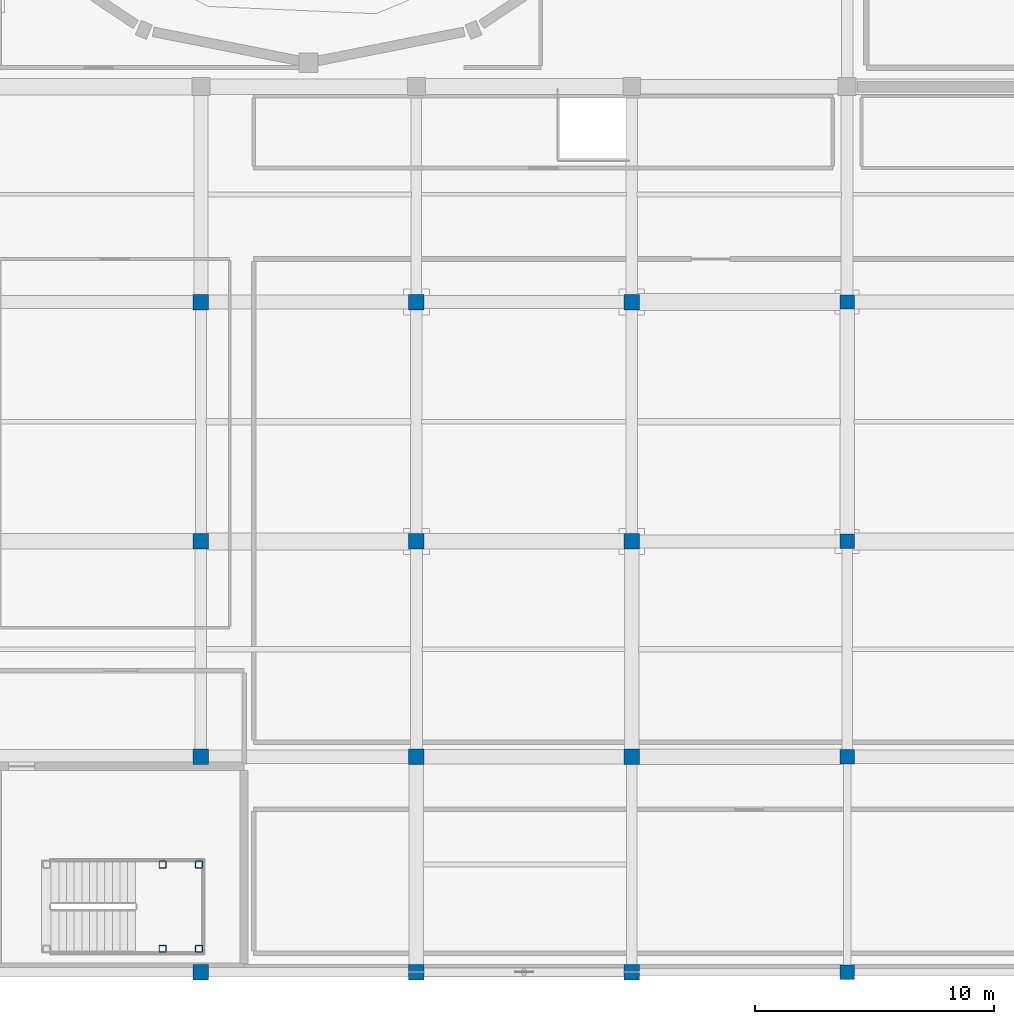
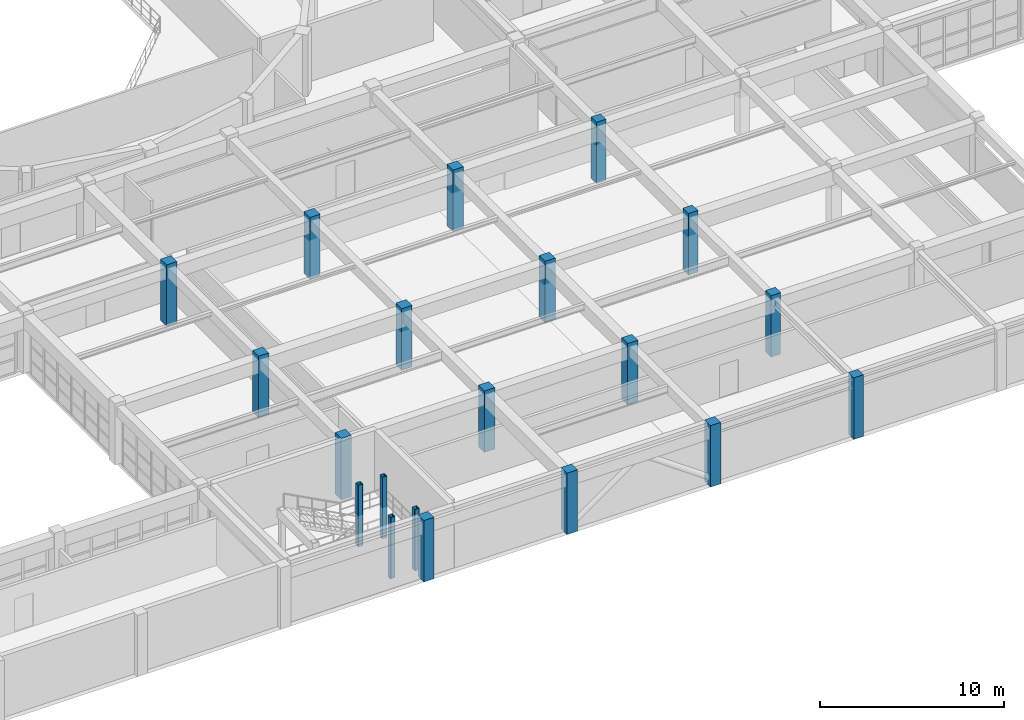
# One storey, part 4 of 130: 20 columns.
"""IFC4 building model written with IfcOpenShell, lengths in metres."""

import ifcopenshell
import ifcopenshell.guid

model = None  # the IFC model being written
_history = None  # IfcOwnerHistory: only IFC2X3 demands one
_inside = {}  # id of a spatial element -> (the spatial element, [elements in it])
_under = {}  # id of a project, library or spatial element -> (it, [spatial elements below it])
_declared = {}  # id of a project -> (the project, [libraries it declares])
_typed = {}  # id of a type object -> (the type object, [elements of that type])
_made_of = {}  # id of a material, layer set ... -> (it, [elements and type objects made of it])


def new_model(schema):
    """Start an empty IFC model of exactly this schema.

    Asked for "IFC4X3", IfcOpenShell would pick the latest addendum, in which some entities
    have other attributes; the version numbers below select the first issue.
    IFC2X3 requires an IfcOwnerHistory on every rooted entity: one is made here for all.
    """
    global model, _history
    if schema == "IFC4X3":
        model = ifcopenshell.file(schema_version=(4, 3, 0, 0))
    else:
        model = ifcopenshell.file(schema=schema)
    _inside.clear()
    _under.clear()
    _declared.clear()
    _typed.clear()
    _made_of.clear()
    _history = None
    if model.schema == "IFC2X3":
        org = make("IfcOrganization", Name="unknown")
        user = make(
            "IfcPersonAndOrganization",
            ThePerson=make("IfcPerson", FamilyName="unknown"),
            TheOrganization=org,
        )
        app = make(
            "IfcApplication",
            ApplicationDeveloper=org,
            Version="unknown",
            ApplicationFullName="unknown",
            ApplicationIdentifier="unknown",
        )
        _history = make(
            "IfcOwnerHistory",
            OwningUser=user,
            OwningApplication=app,
            ChangeAction="ADDED",
            CreationDate=0,
        )
    return model


def make(cls, **values):
    """One entity of the class cls with the attributes given. An attribute that is None is left unset."""
    return model.create_entity(
        cls, **{name: value for name, value in values.items() if value is not None}
    )


def rooted(cls, **values):
    """An entity with a GlobalId (a new one), such as an element, a storey or a relation."""
    return make(cls, GlobalId=ifcopenshell.guid.new(), OwnerHistory=_history, **values)


def si_unit(unit_type, name, prefix=None):
    """IfcSIUnit, for example si_unit("LENGTHUNIT", "METRE", prefix="MILLI")."""
    return make("IfcSIUnit", UnitType=unit_type, Prefix=prefix, Name=name)


def assignment(units):
    """IfcUnitAssignment: the units of a project."""
    return None if units is None else make("IfcUnitAssignment", Units=units)


def point(xyz):
    """IfcCartesianPoint."""
    return None if xyz is None else make("IfcCartesianPoint", Coordinates=xyz)


def direction(xyz):
    """IfcDirection."""
    return None if xyz is None else make("IfcDirection", DirectionRatios=xyz)


def frame(location, z_axis=None, x_axis=None):
    """IfcAxis2Placement3D, a coordinate frame: its origin and axes. An axis left out is left unset."""
    return make(
        "IfcAxis2Placement3D",
        Location=point(location),
        Axis=direction(z_axis),
        RefDirection=direction(x_axis),
    )


def frame_2d(location, x_axis=None):
    """IfcAxis2Placement2D, a coordinate frame in the plane: its origin and x axis."""
    return make(
        "IfcAxis2Placement2D", Location=point(location), RefDirection=direction(x_axis)
    )


def origin():
    """The frame at (0, 0, 0) with its axes left unset."""
    return frame((0.0, 0.0, 0.0))


def origin_2d():
    """The frame at (0, 0) in the plane with its x axis left unset."""
    return frame_2d((0.0, 0.0))


def place(relative_to, where):
    """IfcLocalPlacement: puts the frame where relative to a parent placement (None: the world)."""
    return make(
        "IfcLocalPlacement", PlacementRelTo=relative_to, RelativePlacement=where
    )


def context(
    kind, dimensions, precision=None, world=None, true_north=None, identifier=None
):
    """IfcGeometricRepresentationContext, for example the 3D "Model" context."""
    return make(
        "IfcGeometricRepresentationContext",
        ContextIdentifier=identifier,
        ContextType=kind,
        CoordinateSpaceDimension=dimensions,
        Precision=precision,
        WorldCoordinateSystem=world,
        TrueNorth=true_north,
    )


def subcontext(parent, identifier, kind, view, scale=None):
    """IfcGeometricRepresentationSubContext, for example "Body" below "Model"."""
    return make(
        "IfcGeometricRepresentationSubContext",
        ContextIdentifier=identifier,
        ContextType=kind,
        ParentContext=parent,
        TargetScale=scale,
        TargetView=view,
    )


def project(units=None, contexts=None):
    """IfcProject with its units and contexts."""
    return rooted(
        "IfcProject",
        Name="project",
        RepresentationContexts=contexts,
        UnitsInContext=assignment(units),
    )


def spatial(cls, under=None, at=None, **own):
    """A site, building, storey or space (cls), placed at a placement, below another one or the project."""
    s = rooted(cls, ObjectPlacement=at, **own)
    if under is not None:
        _under.setdefault(under.id(), (under, []))[1].append(s)
    return s


def profile(cls, at=None, kind="AREA", **sizes):
    """A parametric profile (cls). Its sizes go by their IFC names, for example OverallWidth=200.0."""
    return make(cls, ProfileType=kind, Position=at, **sizes)


def rectangle(**sizes):
    """IfcRectangleProfileDef."""
    return profile("IfcRectangleProfileDef", **sizes)


def hollow_rectangle(**sizes):
    """IfcRectangleHollowProfileDef."""
    return profile("IfcRectangleHollowProfileDef", **sizes)


def extrude(swept, where, along, depth):
    """IfcExtrudedAreaSolid: the profile swept, set in the frame where, extruded along a direction by depth."""
    return make(
        "IfcExtrudedAreaSolid",
        SweptArea=swept,
        Position=where,
        ExtrudedDirection=direction(along),
        Depth=depth,
    )


def shape(context_of_items, identifier, shape_type, items):
    """IfcShapeRepresentation: the items that make up one representation, for example the "Body"."""
    return make(
        "IfcShapeRepresentation",
        ContextOfItems=context_of_items,
        RepresentationIdentifier=identifier,
        RepresentationType=shape_type,
        Items=items,
    )


def material(Name=None, Category=None):
    """IfcMaterial."""
    return make("IfcMaterial", Name=Name, Category=Category)


def material_profile(
    of_material, cross_section, Name=None, Category=None, Priority=None
):
    """IfcMaterialProfile: a cross section and its material."""
    return make(
        "IfcMaterialProfile",
        Name=Name,
        Material=of_material,
        Profile=cross_section,
        Priority=Priority,
        Category=Category,
    )


def profile_set(profiles, Name=None, composite=None):
    """IfcMaterialProfileSet."""
    return make(
        "IfcMaterialProfileSet",
        Name=Name,
        MaterialProfiles=profiles,
        CompositeProfile=composite,
    )


def made_of(thing, what):
    """Note that an element or type object is made of a material, layer set ...; save() writes the relation."""
    if what is not None:
        _made_of.setdefault(what.id(), (what, []))[1].append(thing)
    return thing


def type_object(cls, material=None, **own):
    """A type object (cls), such as IfcWallType, which elements share."""
    return made_of(rooted(cls, **own), material)


def element(
    cls,
    number,
    at=None,
    inside=None,
    cuts=None,
    type_object=None,
    material=None,
    context=None,
    identifier="Body",
    shape_type=None,
    held_by="IfcProductDefinitionShape",
    body=None,
    shapes=None,
    **own,
):
    """One element of the class cls, such as IfcWall. Its Tag is "e" and its number.

    at: its placement. inside: the storey or other place that contains it. cuts: it is an
    opening in that element (IfcRelVoidsElement). A single representation is given by context,
    identifier, shape_type and body (its items); several are given by shapes. held_by: the class
    of the entity that holds the representations. save() writes the other relations.
    """
    e = rooted(cls, Tag="e%d" % number, ObjectPlacement=at, **own)
    if body is not None:
        shapes = [shape(context, identifier, shape_type, body)]
    if shapes is not None:
        e.Representation = make(held_by, Representations=shapes)
    if inside is not None:
        _inside.setdefault(inside.id(), (inside, []))[1].append(e)
    if cuts is not None:
        rooted(
            "IfcRelVoidsElement", RelatingBuildingElement=cuts, RelatedOpeningElement=e
        )
    if type_object is not None:
        _typed.setdefault(type_object.id(), (type_object, []))[1].append(e)
    return made_of(e, material)


def aggregate(whole, parts):
    """IfcRelAggregates: a whole, such as a stair, and the parts it consists of."""
    return rooted("IfcRelAggregates", RelatingObject=whole, RelatedObjects=parts)


def save(model, path):
    """Write the relations noted so far, then the file.

    IfcRelAggregates (storeys below a building ...), IfcRelContainedInSpatialStructure (elements
    in a storey), IfcRelDefinesByType, IfcRelAssociatesMaterial and IfcRelDeclares: one each for
    every whole, place, type object, material and project.
    """
    for whole, parts in _under.values():
        aggregate(whole, parts)
    for where, things in _inside.values():
        rooted(
            "IfcRelContainedInSpatialStructure",
            RelatedElements=things,
            RelatingStructure=where,
        )
    for kind, things in _typed.values():
        rooted("IfcRelDefinesByType", RelatedObjects=things, RelatingType=kind)
    for what, things in _made_of.values():
        rooted("IfcRelAssociatesMaterial", RelatedObjects=things, RelatingMaterial=what)
    for by, libraries in _declared.values():
        rooted("IfcRelDeclares", RelatingContext=by, RelatedDefinitions=libraries)
    model.write(path)


model = new_model("IFC4")

# Units and contexts
model_context = context("Model", 3, precision=1e-05, world=origin(), true_north=direction((0.0, 1.0)))
body_context = subcontext(model_context, "Body", "Model", "MODEL_VIEW")
ifc_project = project(units=[si_unit("LENGTHUNIT", "METRE"), si_unit("AREAUNIT", "SQUARE_METRE"), si_unit("VOLUMEUNIT", "CUBIC_METRE"), si_unit("PLANEANGLEUNIT", "RADIAN"), si_unit("MASSUNIT", "GRAM", prefix="KILO")], contexts=[model_context])

# Site, building, storey
site_placement = place(None, origin())
site = spatial("IfcSite", under=ifc_project, at=site_placement, CompositionType="ELEMENT")
building_placement = place(site_placement, origin())
building = spatial("IfcBuilding", under=site, at=building_placement, Name="Miravela Opera House", CompositionType="ELEMENT")
storey_placement = place(building_placement, frame((0.0, 0.0, 9.52001953125)))
storey = spatial("IfcBuildingStorey", under=building, at=storey_placement, Name="L02", CompositionType="ELEMENT", Elevation=9.52001953125)

# Columns
ifc_material_1 = material(Name="Hollow structural steel ASTM A500 Gr. C", Category="steel")
ifc_material_profile_1 = material_profile(ifc_material_1, hollow_rectangle(XDim=0.300048828125, YDim=0.300048828125, WallThickness=0.01611328125, InnerFilletRadius=0.01611328125, OuterFilletRadius=0.031982421875, at=origin_2d()), Name="HSS300X300X16")
ifc_profile_set_1 = profile_set([ifc_material_profile_1])
column_type_1 = type_object("IfcColumnType", Name="STR-COL-HSS300", PredefinedType="COLUMN", material=ifc_profile_set_1)
for number, where, z_axis, x_axis, name in (
    (1, (70.39990234375, 0.97998046875, 0.0), (0.0, 0.0, 1.0), (1.0, 0.0, 0.0), "Stair K6 Landing Support Column 3 (L02)"),
    (2, (70.39990234375, 4.5, 0.0), (0.0, 0.0, 1.0), (1.0, 0.0, 0.0), "Stair K6 Landing Support Column 4 (L02)"),
    (3, (71.919921875, 0.97998046875, 0.0), (0.0, 0.0, 1.0), (1.0, 0.0, 0.0), "Stair K6 Landing Support Column 5 (L02)"),
    (4, (71.919921875, 4.5, 0.0), (0.0, 0.0, 1.0), (1.0, 0.0, 0.0), "Stair K6 Landing Support Column 6 (L02)"),
):
    element("IfcColumn", number, at=place(storey_placement, frame(where, z_axis=z_axis, x_axis=x_axis)), inside=storey, type_object=column_type_1, Name=name, PredefinedType="COLUMN", context=body_context, shape_type="SweptSolid", body=[
        extrude(hollow_rectangle(XDim=0.300048828125, YDim=0.300048828125, WallThickness=0.01611328125, InnerFilletRadius=0.01611328125, OuterFilletRadius=0.031982421875, at=origin_2d()), origin(), (0.0, 0.0, 1.0), 4.080078125),
    ])
ifc_material_2 = material(Name="Concrete C35/45", Category="concrete")
ifc_material_profile_2 = material_profile(ifc_material_2, rectangle(XDim=0.60009765625, YDim=0.60009765625, at=origin_2d()), Name="RC-COL-600X600")
ifc_profile_set_2 = profile_set([ifc_material_profile_2])
column_type_2 = type_object("IfcColumnType", Name="STR-COL-RC600", PredefinedType="COLUMN", material=ifc_profile_set_2)
for number, where, z_axis, x_axis, name in (
    (5, (99.0, 0.0, 0.0), (0.0, 0.0, 1.0), (1.0, 0.0, 0.0), "Column C-12A (L02)"),
    (6, (99.0, 9.0, 0.0), (0.0, 0.0, 1.0), (1.0, 0.0, 0.0), "Column C-12B (L02)"),
    (7, (99.0, 18.0, 0.0), (0.0, 0.0, 1.0), (1.0, 0.0, 0.0), "Column C-12C (L02)"),
    (8, (99.0, 28.0, 0.0), (0.0, 0.0, 1.0), (1.0, 0.0, 0.0), "Column C-12D (L02)"),
):
    element("IfcColumn", number, at=place(storey_placement, frame(where, z_axis=z_axis, x_axis=x_axis)), inside=storey, type_object=column_type_2, Name=name, PredefinedType="COLUMN", context=body_context, shape_type="SweptSolid", body=[
        extrude(rectangle(XDim=0.60009765625, YDim=0.60009765625, at=origin_2d()), origin(), (0.0, 0.0, 1.0), 4.080078125),
    ])
ifc_material_profile_3 = material_profile(ifc_material_2, rectangle(XDim=0.64990234375, YDim=0.64990234375, at=origin_2d()), Name="RC-COL-650X650")
ifc_profile_set_3 = profile_set([ifc_material_profile_3])
column_type_3 = type_object("IfcColumnType", Name="STR-COL-RC650", PredefinedType="COLUMN", material=ifc_profile_set_3)
for number, where, z_axis, x_axis, name in (
    (9, (81.0, 0.0, 0.0), (0.0, 0.0, 1.0), (1.0, 0.0, 0.0), "Column C-10A (L02)"),
    (10, (81.0, 9.0, 0.0), (0.0, 0.0, 1.0), (1.0, 0.0, 0.0), "Column C-10B (L02)"),
    (11, (81.0, 18.0, 0.0), (0.0, 0.0, 1.0), (1.0, 0.0, 0.0), "Column C-10C (L02)"),
    (12, (81.0, 28.0, 0.0), (0.0, 0.0, 1.0), (1.0, 0.0, 0.0), "Column C-10D (L02)"),
    (13, (90.0, 0.0, 0.0), (0.0, 0.0, 1.0), (1.0, 0.0, 0.0), "Column C-11A (L02)"),
    (14, (90.0, 9.0, 0.0), (0.0, 0.0, 1.0), (1.0, 0.0, 0.0), "Column C-11B (L02)"),
    (15, (90.0, 18.0, 0.0), (0.0, 0.0, 1.0), (1.0, 0.0, 0.0), "Column C-11C (L02)"),
    (16, (90.0, 28.0, 0.0), (0.0, 0.0, 1.0), (1.0, 0.0, 0.0), "Column C-11D (L02)"),
    (17, (72.0, 0.0, 0.0), (0.0, 0.0, 1.0), (1.0, 0.0, 0.0), "Column C-9A (L02)"),
    (18, (72.0, 9.0, 0.0), (0.0, 0.0, 1.0), (1.0, 0.0, 0.0), "Column C-9B (L02)"),
    (19, (72.0, 18.0, 0.0), (0.0, 0.0, 1.0), (1.0, 0.0, 0.0), "Column C-9C (L02)"),
    (20, (72.0, 28.0, 0.0), (0.0, 0.0, 1.0), (1.0, 0.0, 0.0), "Column C-9D (L02)"),
):
    element("IfcColumn", number, at=place(storey_placement, frame(where, z_axis=z_axis, x_axis=x_axis)), inside=storey, type_object=column_type_3, Name=name, PredefinedType="COLUMN", context=body_context, shape_type="SweptSolid", body=[
        extrude(rectangle(XDim=0.64990234375, YDim=0.64990234375, at=origin_2d()), origin(), (0.0, 0.0, 1.0), 4.080078125),
    ])

save(model, "model.ifc")
